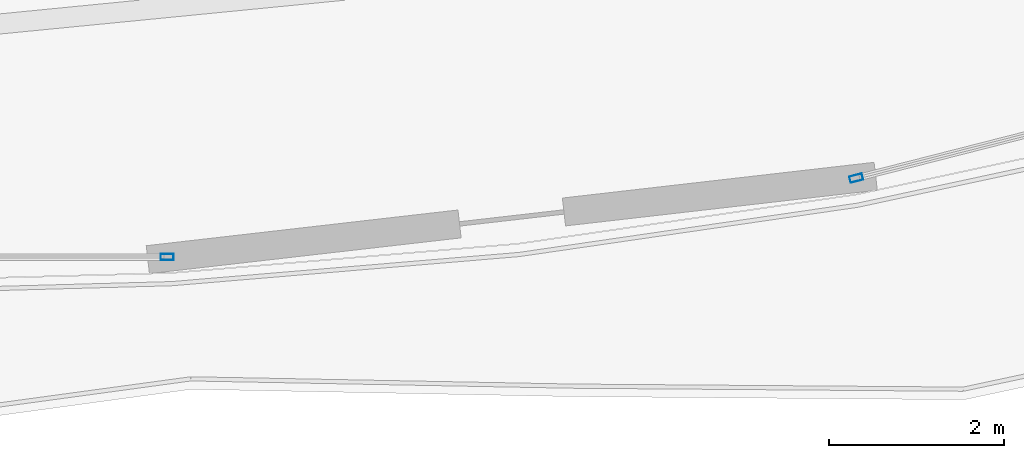
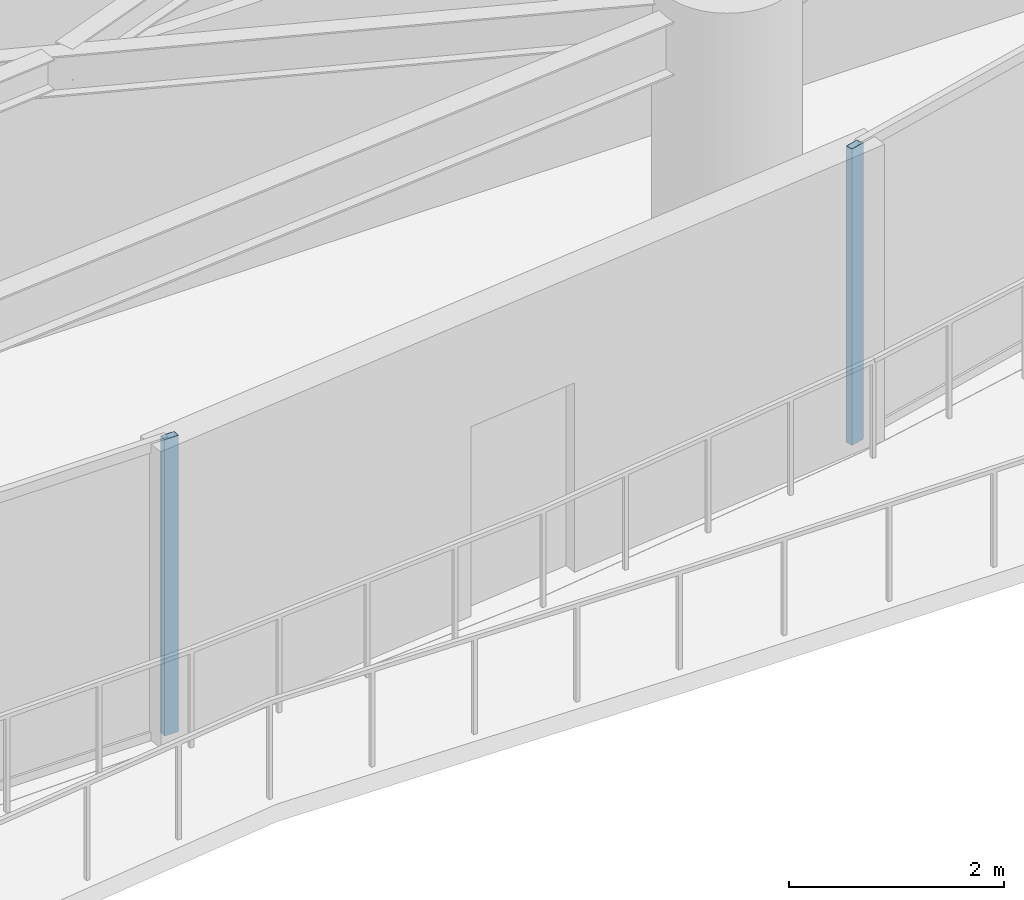
# One storey, part 11 of 32: 2 members, 2 elements without a shape of their own.
"""IFC4 building model written with IfcOpenShell, lengths in metres."""

from ifc_helpers import new_model, si_unit, direction, frame, origin, origin_2d, place, context, subcontext, project, spatial, hollow_rectangle, extrude, material, layer, layer_set, material_profile, profile_set, type_object, element, aggregate, save


model = new_model("IFC4")

# Units and contexts
model_context = context("Model", 3, precision=1e-05, world=origin(), true_north=direction((0.0, 1.0)))
body_context = subcontext(model_context, "Body", "Model", "MODEL_VIEW")
ifc_project = project(units=[si_unit("LENGTHUNIT", "METRE"), si_unit("AREAUNIT", "SQUARE_METRE"), si_unit("VOLUMEUNIT", "CUBIC_METRE"), si_unit("PLANEANGLEUNIT", "RADIAN"), si_unit("MASSUNIT", "GRAM", prefix="KILO")], contexts=[model_context])

# Site, building, storey
site_placement = place(None, origin())
site = spatial("IfcSite", under=ifc_project, at=site_placement, CompositionType="ELEMENT")
building_placement = place(site_placement, origin())
building = spatial("IfcBuilding", under=site, at=building_placement, Name="Kazevale Care Tower and Concert Hall", CompositionType="ELEMENT")
storey_placement = place(building_placement, frame((0.0, 0.0, 24.0)))
storey = spatial("IfcBuildingStorey", under=building, at=storey_placement, Name="L05", CompositionType="ELEMENT", Elevation=24.0)

# Curtain wall, member
ifc_material_1 = material(Name="Aluminium 6063-T6 and Low-E Glass", Category="aluminium")
ifc_layer = layer(ifc_material_1, 0.179931640625)
ifc_layer_set = layer_set([ifc_layer], Name="Aluminium 6063-T6 and Low-E Glass")
curtain_wall_type = type_object("IfcCurtainWallType", Name="Sheltered Concave Balcony Curtain Wall CW-5", PredefinedType="NOTDEFINED", material=ifc_layer_set)
curtain_wall_1_placement = place(storey_placement, origin())
curtain_wall_1 = element("IfcCurtainWall", 1, at=curtain_wall_1_placement, inside=storey, type_object=curtain_wall_type, Name="cw:L05:f04", PredefinedType="NOTDEFINED")
ifc_material_2 = material(Name="Aluminium 6063-T6", Category="aluminium")
ifc_material_profile = material_profile(ifc_material_2, hollow_rectangle(XDim=0.074951171875, YDim=0.14990234375, WallThickness=0.00390625, at=origin_2d()), Name="ALU75x150x4")
ifc_profile_set = profile_set([ifc_material_profile], Name="Aluminium 6063-T6")
member_type = type_object("IfcMemberType", Name="CW-5 Mullion ALU75x150x4", PredefinedType="MULLION", material=ifc_profile_set)
member_1_placement = place(storey_placement, frame((56.828369140625, 15.791259765625, 0.0), z_axis=(0.0, 0.0, 1.0), x_axis=(0.247221864936, -0.968958899798, 0.0)))
member_1 = element("IfcMember", 2, at=member_1_placement, type_object=member_type, Name="CW-5 mullion 2", PredefinedType="MULLION", context=body_context, shape_type="SweptSolid", body=[
    extrude(hollow_rectangle(XDim=0.074951171875, YDim=0.14990234375, WallThickness=0.00390625, at=origin_2d()), origin(), (0.0, 0.0, 1.0), 3.360107421875),
])
aggregate(curtain_wall_1, [member_1])

curtain_wall_2_placement = place(storey_placement, origin())
curtain_wall_2 = element("IfcCurtainWall", 3, at=curtain_wall_2_placement, inside=storey, type_object=curtain_wall_type, Name="cw:L05:f06", PredefinedType="NOTDEFINED")
member_2_placement = place(storey_placement, frame((48.96044921875, 14.889892578125, 0.0), z_axis=(0.0, 0.0, 1.0), x_axis=(0.0, -1.0, 0.0)))
member_2 = element("IfcMember", 4, at=member_2_placement, type_object=member_type, Name="CW-5 mullion 1", PredefinedType="MULLION", context=body_context, shape_type="SweptSolid", body=[
    extrude(hollow_rectangle(XDim=0.074951171875, YDim=0.14990234375, WallThickness=0.00390625, at=origin_2d()), origin(), (0.0, 0.0, 1.0), 3.360107421875),
])
aggregate(curtain_wall_2, [member_2])

save(model, "model.ifc")
